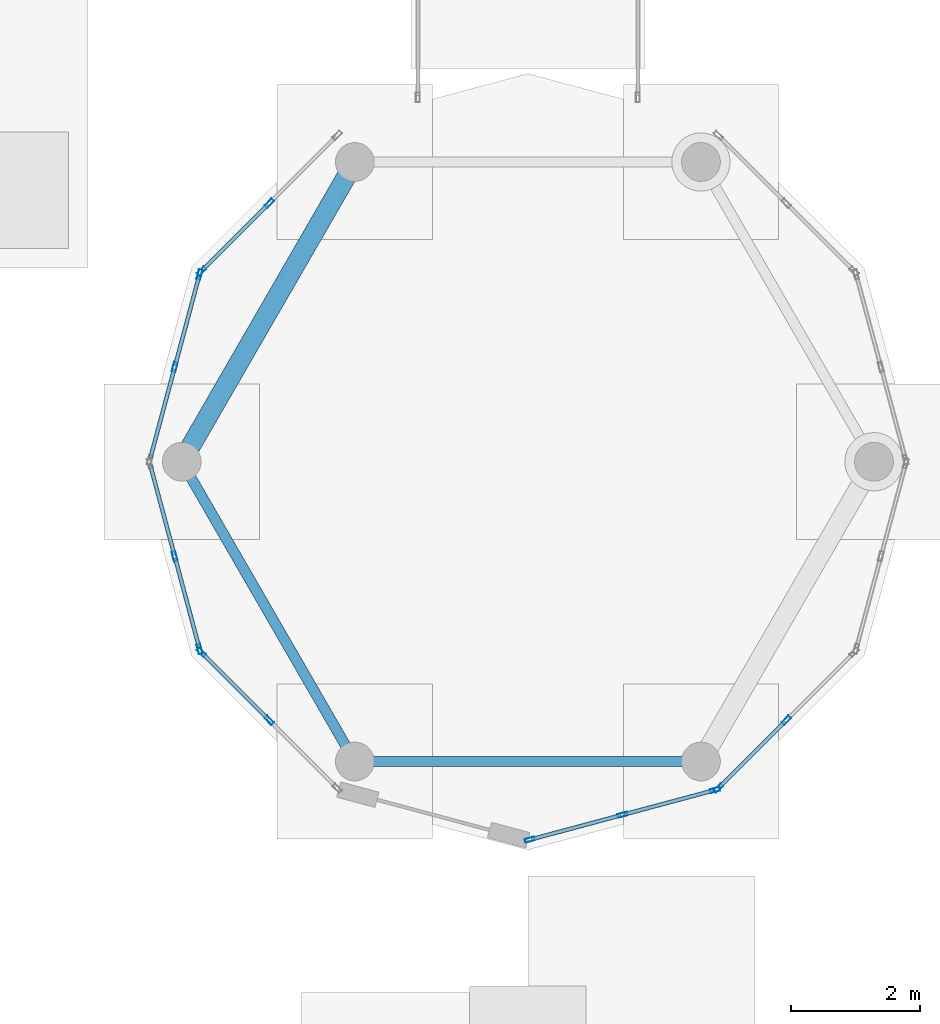
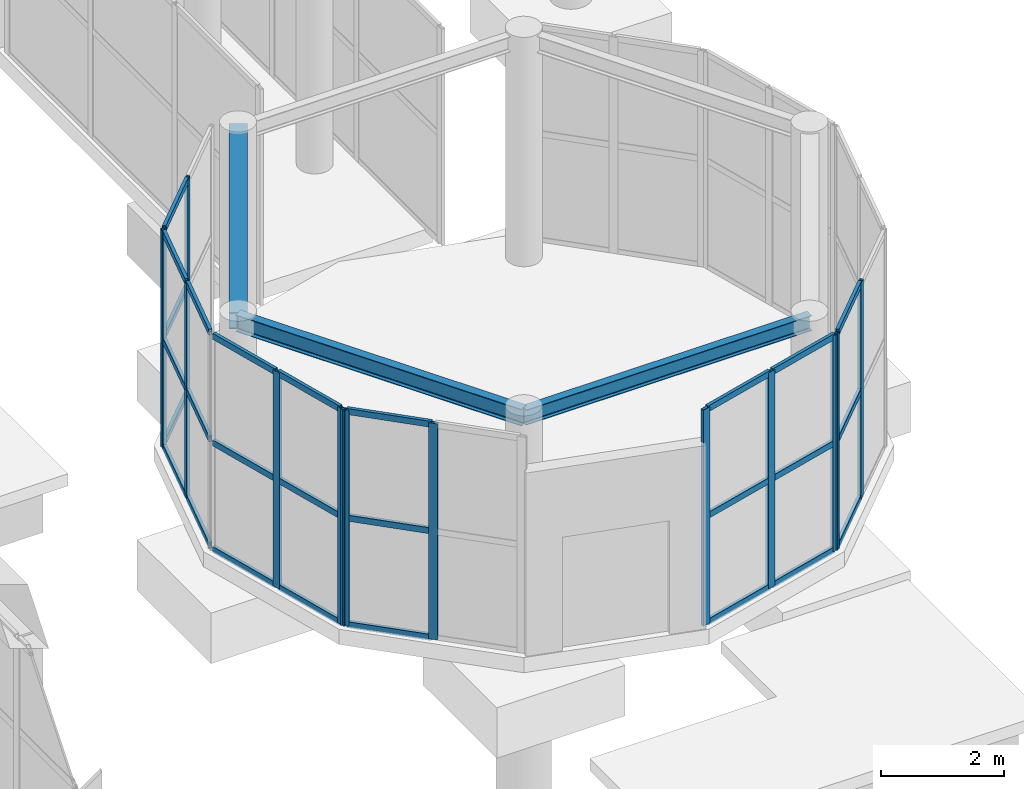
# One storey, part 48 of 139: 40 members, 3 beams, 6 elements without a shape of their own.
"""IFC4 building model written with IfcOpenShell, lengths in metres."""

from ifc_helpers import new_model, si_unit, direction, frame, origin, origin_2d, place, context, subcontext, project, spatial, hollow_rectangle, i_section, extrude, material, layer, layer_set, material_profile, profile_set, type_object, element, aggregate, save


model = new_model("IFC4")

# Units and contexts
model_context = context("Model", 3, precision=1e-05, world=origin(), true_north=direction((0.0, 1.0)))
body_context = subcontext(model_context, "Body", "Model", "MODEL_VIEW")
ifc_project = project(units=[si_unit("LENGTHUNIT", "METRE"), si_unit("AREAUNIT", "SQUARE_METRE"), si_unit("VOLUMEUNIT", "CUBIC_METRE"), si_unit("PLANEANGLEUNIT", "RADIAN"), si_unit("MASSUNIT", "GRAM", prefix="KILO")], contexts=[model_context])

# Site, building, storey
site_placement = place(None, origin())
site = spatial("IfcSite", under=ifc_project, at=site_placement, CompositionType="ELEMENT")
building_placement = place(site_placement, origin())
building = spatial("IfcBuilding", under=site, at=building_placement, Name="Zizhar Promenade General Hospital", CompositionType="ELEMENT")
storey_placement = place(building_placement, origin())
storey = spatial("IfcBuildingStorey", under=building, at=storey_placement, Name="L00", CompositionType="ELEMENT", Elevation=0.0)

# Beams
ifc_material_1 = material(Name="Steel S355", Category="steel")
ifc_material_profile_1 = material_profile(ifc_material_1, i_section(OverallWidth=0.300048828125, OverallDepth=0.320068359375, WebThickness=0.011474609375, FlangeThickness=0.0205078125, FilletRadius=0.027099609375, at=origin_2d()))
ifc_profile_set_1 = profile_set([ifc_material_profile_1], Name="Steel S355")
beam_type_1 = type_object("IfcBeamType", Name="BM-STL-HEB320", PredefinedType="BEAM", material=ifc_profile_set_1)
beam_1_placement = place(storey_placement, frame((142.324951171875, 32.63330078125, 4.340087890625), z_axis=(-0.500001594578, -0.866024483152, 0.0), x_axis=(0.866024483152, -0.500001594578, 0.0)))
element("IfcBeam", 1, at=beam_1_placement, inside=storey, type_object=beam_type_1, Name="PAV-1 Roof Ring Beam 3", PredefinedType="BEAM", context=body_context, shape_type="SweptSolid", body=[
    extrude(i_section(OverallWidth=0.300048828125, OverallDepth=0.320068359375, WebThickness=0.011474609375, FlangeThickness=0.0205078125, FilletRadius=0.027099609375, at=origin_2d()), origin(), (0.0, 0.0, 1.0), 5.35009765625),
])
ifc_material_2 = material(Name="Steel S355", Category="steel")
ifc_material_profile_2 = material_profile(ifc_material_2, i_section(OverallWidth=0.14990234375, OverallDepth=0.300048828125, WebThickness=0.007080078125, FlangeThickness=0.0107421875, FilletRadius=0.014892578125, at=origin_2d()))
ifc_profile_set_2 = profile_set([ifc_material_profile_2], Name="Steel S355")
beam_type_2 = type_object("IfcBeamType", Name="BM-STL-IPE300", PredefinedType="JOIST", material=ifc_profile_set_2)
beam_2_placement = place(storey_placement, frame((142.324951171875, 23.36669921875, 4.340087890625), z_axis=(1.0, 0.0, 0.0), x_axis=(0.0, 1.0, 0.0)))
element("IfcBeam", 2, at=beam_2_placement, inside=storey, type_object=beam_type_2, Name="PAV-1 Roof Ring Beam 5", PredefinedType="JOIST", context=body_context, shape_type="SweptSolid", body=[
    extrude(i_section(OverallWidth=0.14990234375, OverallDepth=0.300048828125, WebThickness=0.007080078125, FlangeThickness=0.0107421875, FilletRadius=0.014892578125, at=origin_2d()), origin(), (0.0, 0.0, 1.0), 5.35009765625),
])
ifc_material_3 = material(Name="Steel S355", Category="steel")
ifc_material_profile_3 = material_profile(ifc_material_3, i_section(OverallWidth=0.159912109375, OverallDepth=0.330078125, WebThickness=0.007568359375, FlangeThickness=0.011474609375, FilletRadius=0.01806640625, at=origin_2d()))
ifc_profile_set_3 = profile_set([ifc_material_profile_3], Name="Steel S355")
beam_type_3 = type_object("IfcBeamType", Name="BM-STL-IPE330", PredefinedType="JOIST", material=ifc_profile_set_3)
beam_3_placement = place(storey_placement, frame((139.64990234375, 28.0, 4.340087890625), z_axis=(0.500001594578, -0.866024483152, 0.0), x_axis=(0.866024483152, 0.500001594578, 0.0)))
element("IfcBeam", 3, at=beam_3_placement, inside=storey, type_object=beam_type_3, Name="PAV-1 Roof Ring Beam 4", PredefinedType="JOIST", context=body_context, shape_type="SweptSolid", body=[
    extrude(i_section(OverallWidth=0.159912109375, OverallDepth=0.330078125, WebThickness=0.007568359375, FlangeThickness=0.011474609375, FilletRadius=0.01806640625, at=origin_2d()), origin(), (0.0, 0.0, 1.0), 5.35009765625),
])

# Curtain wall, members
ifc_material_4 = material(Name="Anodised aluminium 6063-T6 and low-E glass", Category="aluminium")
ifc_layer = layer(ifc_material_4, 0.159912109375)
ifc_layer_set = layer_set([ifc_layer], Name="Anodised aluminium 6063-T6 and low-E glass")
curtain_wall_type = type_object("IfcCurtainWallType", Name="CW-PAV-GLZ", PredefinedType="NOTDEFINED", material=ifc_layer_set)
curtain_wall_1_placement = place(storey_placement, origin())
curtain_wall_1 = element("IfcCurtainWall", 4, at=curtain_wall_1_placement, inside=storey, type_object=curtain_wall_type, Name="Outpatient Welcome Pavilion Curved Glazing 5", PredefinedType="NOTDEFINED")
ifc_material_5 = material(Name="Anodised aluminium 6063-T6", Category="aluminium")
ifc_material_profile_4 = material_profile(ifc_material_5, hollow_rectangle(XDim=0.06005859375, YDim=0.14990234375, WallThickness=0.00390625, at=origin_2d()))
ifc_profile_set_4 = profile_set([ifc_material_profile_4], Name="Anodised aluminium 6063-T6")
member_type_1 = type_object("IfcMemberType", Name="CWM-ALU-150x60", PredefinedType="MULLION", material=ifc_profile_set_4)
member_1_placement = place(storey_placement, frame((139.955078125, 30.9462890625, 0.0), z_axis=(0.0, 0.0, 1.0), x_axis=(-0.707106781187, 0.707106781187, 0.0)))
member_1 = element("IfcMember", 5, at=member_1_placement, type_object=member_type_1, Name="CW-14 mullion 1", PredefinedType="MULLION", context=body_context, shape_type="SweptSolid", body=[
    extrude(hollow_rectangle(XDim=0.06005859375, YDim=0.14990234375, WallThickness=0.00390625, at=origin_2d()), origin(), (0.0, 0.0, 1.0), 4.280029296875),
])
member_2_placement = place(storey_placement, frame((141.00439453125, 31.99560546875, 0.0), z_axis=(0.0, 0.0, 1.0), x_axis=(-0.707106781187, 0.707106781187, 0.0)))
member_2 = element("IfcMember", 6, at=member_2_placement, type_object=member_type_1, Name="CW-14 mullion 2", PredefinedType="MULLION", context=body_context, shape_type="SweptSolid", body=[
    extrude(hollow_rectangle(XDim=0.06005859375, YDim=0.14990234375, WallThickness=0.00390625, at=origin_2d()), origin(), (0.0, 0.0, 1.0), 4.280029296875),
])

curtain_wall_2_placement = place(storey_placement, origin())
curtain_wall_2 = element("IfcCurtainWall", 7, at=curtain_wall_2_placement, inside=storey, type_object=curtain_wall_type, Name="Outpatient Welcome Pavilion Curved Glazing 6", PredefinedType="NOTDEFINED")
member_3_placement = place(storey_placement, frame((139.5419921875, 29.46240234375, 0.0), z_axis=(0.0, 0.0, 1.0), x_axis=(-0.965921812881, 0.25883402288, 0.0)))
member_3 = element("IfcMember", 8, at=member_3_placement, type_object=member_type_1, Name="CW-14 mullion 2", PredefinedType="MULLION", context=body_context, shape_type="SweptSolid", body=[
    extrude(hollow_rectangle(XDim=0.06005859375, YDim=0.14990234375, WallThickness=0.00390625, at=origin_2d()), origin(), (0.0, 0.0, 1.0), 4.280029296875),
])
member_4_placement = place(storey_placement, frame((139.926025390625, 30.89599609375, 0.0), z_axis=(0.0, 0.0, 1.0), x_axis=(-0.965921812881, 0.25883402288, 0.0)))
member_4 = element("IfcMember", 9, at=member_4_placement, type_object=member_type_1, Name="CW-14 mullion 3", PredefinedType="MULLION", context=body_context, shape_type="SweptSolid", body=[
    extrude(hollow_rectangle(XDim=0.06005859375, YDim=0.14990234375, WallThickness=0.00390625, at=origin_2d()), origin(), (0.0, 0.0, 1.0), 4.280029296875),
])

curtain_wall_3_placement = place(storey_placement, origin())
curtain_wall_3 = element("IfcCurtainWall", 10, at=curtain_wall_3_placement, inside=storey, type_object=curtain_wall_type, Name="Outpatient Welcome Pavilion Curved Glazing 7", PredefinedType="NOTDEFINED")
member_5_placement = place(storey_placement, frame((139.926025390625, 25.10400390625, 0.0), z_axis=(0.0, 0.0, 1.0), x_axis=(-0.965921812881, -0.25883402288, 0.0)))
member_5 = element("IfcMember", 11, at=member_5_placement, type_object=member_type_1, Name="CW-14 mullion 1", PredefinedType="MULLION", context=body_context, shape_type="SweptSolid", body=[
    extrude(hollow_rectangle(XDim=0.06005859375, YDim=0.14990234375, WallThickness=0.00390625, at=origin_2d()), origin(), (0.0, 0.0, 1.0), 4.280029296875),
])
member_6_placement = place(storey_placement, frame((139.5419921875, 26.53759765625, 0.0), z_axis=(0.0, 0.0, 1.0), x_axis=(-0.965921812881, -0.25883402288, 0.0)))
member_6 = element("IfcMember", 12, at=member_6_placement, type_object=member_type_1, Name="CW-14 mullion 2", PredefinedType="MULLION", context=body_context, shape_type="SweptSolid", body=[
    extrude(hollow_rectangle(XDim=0.06005859375, YDim=0.14990234375, WallThickness=0.00390625, at=origin_2d()), origin(), (0.0, 0.0, 1.0), 4.280029296875),
])

curtain_wall_4_placement = place(storey_placement, origin())
curtain_wall_4 = element("IfcCurtainWall", 13, at=curtain_wall_4_placement, inside=storey, type_object=curtain_wall_type, Name="Outpatient Welcome Pavilion Curved Glazing 8", PredefinedType="NOTDEFINED")
member_7_placement = place(storey_placement, frame((141.00439453125, 24.00439453125, 0.0), z_axis=(0.0, 0.0, 1.0), x_axis=(-0.707106781187, -0.707106781187, 0.0)))
member_7 = element("IfcMember", 14, at=member_7_placement, type_object=member_type_1, Name="CW-14 mullion 2", PredefinedType="MULLION", context=body_context, shape_type="SweptSolid", body=[
    extrude(hollow_rectangle(XDim=0.06005859375, YDim=0.14990234375, WallThickness=0.00390625, at=origin_2d()), origin(), (0.0, 0.0, 1.0), 4.280029296875),
])
member_8_placement = place(storey_placement, frame((139.955078125, 25.0537109375, 0.0), z_axis=(0.0, 0.0, 1.0), x_axis=(-0.707106781187, -0.707106781187, 0.0)))
member_8 = element("IfcMember", 15, at=member_8_placement, type_object=member_type_1, Name="CW-14 mullion 3", PredefinedType="MULLION", context=body_context, shape_type="SweptSolid", body=[
    extrude(hollow_rectangle(XDim=0.06005859375, YDim=0.14990234375, WallThickness=0.00390625, at=origin_2d()), origin(), (0.0, 0.0, 1.0), 4.280029296875),
])

curtain_wall_5_placement = place(storey_placement, origin())
curtain_wall_5 = element("IfcCurtainWall", 16, at=curtain_wall_5_placement, inside=storey, type_object=curtain_wall_type, Name="Outpatient Welcome Pavilion Curved Glazing 10", PredefinedType="NOTDEFINED")
member_9_placement = place(storey_placement, frame((147.89599609375, 22.926025390625, 0.0), z_axis=(0.0, 0.0, 1.0), x_axis=(0.25883402288, -0.965921812881, 0.0)))
member_9 = element("IfcMember", 17, at=member_9_placement, type_object=member_type_1, Name="CW-14 mullion 1", PredefinedType="MULLION", context=body_context, shape_type="SweptSolid", body=[
    extrude(hollow_rectangle(XDim=0.06005859375, YDim=0.14990234375, WallThickness=0.00390625, at=origin_2d()), origin(), (0.0, 0.0, 1.0), 4.280029296875),
])
member_10_placement = place(storey_placement, frame((146.46240234375, 22.5419921875, 0.0), z_axis=(0.0, 0.0, 1.0), x_axis=(0.25883402288, -0.965921812881, 0.0)))
member_10 = element("IfcMember", 18, at=member_10_placement, type_object=member_type_1, Name="CW-14 mullion 2", PredefinedType="MULLION", context=body_context, shape_type="SweptSolid", body=[
    extrude(hollow_rectangle(XDim=0.06005859375, YDim=0.14990234375, WallThickness=0.00390625, at=origin_2d()), origin(), (0.0, 0.0, 1.0), 4.280029296875),
])
member_11_placement = place(storey_placement, frame((145.029052734375, 22.15771484375, 0.0), z_axis=(0.0, 0.0, 1.0), x_axis=(0.25883402288, -0.965921812881, 0.0)))
member_11 = element("IfcMember", 19, at=member_11_placement, type_object=member_type_1, Name="CW-14 mullion 3", PredefinedType="MULLION", context=body_context, shape_type="SweptSolid", body=[
    extrude(hollow_rectangle(XDim=0.06005859375, YDim=0.14990234375, WallThickness=0.00390625, at=origin_2d()), origin(), (0.0, 0.0, 1.0), 4.280029296875),
])

curtain_wall_6_placement = place(storey_placement, origin())
curtain_wall_6 = element("IfcCurtainWall", 20, at=curtain_wall_6_placement, inside=storey, type_object=curtain_wall_type, Name="Outpatient Welcome Pavilion Curved Glazing 11", PredefinedType="NOTDEFINED")
member_12_placement = place(storey_placement, frame((148.99560546875, 24.00439453125, 0.0), z_axis=(0.0, 0.0, 1.0), x_axis=(0.707106781187, -0.707106781187, 0.0)))
member_12 = element("IfcMember", 21, at=member_12_placement, type_object=member_type_1, Name="CW-14 mullion 2", PredefinedType="MULLION", context=body_context, shape_type="SweptSolid", body=[
    extrude(hollow_rectangle(XDim=0.06005859375, YDim=0.14990234375, WallThickness=0.00390625, at=origin_2d()), origin(), (0.0, 0.0, 1.0), 4.280029296875),
])
member_13_placement = place(storey_placement, frame((147.9462890625, 22.955078125, 0.0), z_axis=(0.0, 0.0, 1.0), x_axis=(0.707106781187, -0.707106781187, 0.0)))
member_13 = element("IfcMember", 22, at=member_13_placement, type_object=member_type_1, Name="CW-14 mullion 3", PredefinedType="MULLION", context=body_context, shape_type="SweptSolid", body=[
    extrude(hollow_rectangle(XDim=0.06005859375, YDim=0.14990234375, WallThickness=0.00390625, at=origin_2d()), origin(), (0.0, 0.0, 1.0), 4.280029296875),
])

# Member
ifc_material_6 = material(Name="Anodised aluminium 6063-T6", Category="aluminium")
ifc_material_profile_5 = material_profile(ifc_material_6, hollow_rectangle(XDim=0.06005859375, YDim=0.1201171875, WallThickness=0.00390625, at=origin_2d()))
ifc_profile_set_5 = profile_set([ifc_material_profile_5], Name="Anodised aluminium 6063-T6")
member_type_2 = type_object("IfcMemberType", Name="CWT-ALU-120x60", PredefinedType="USERDEFINED", material=ifc_profile_set_5)
member_14_placement = place(storey_placement, frame((139.976318359375, 30.967529296875, 0.030029296875), z_axis=(0.707106781187, 0.707106781187, 0.0), x_axis=(-0.707106781187, 0.707106781187, 0.0)))
member_14 = element("IfcMember", 23, at=member_14_placement, type_object=member_type_2, Name="CW-14 transom 1.1", ObjectType="TRANSOM", PredefinedType="USERDEFINED", context=body_context, shape_type="SweptSolid", body=[
    extrude(hollow_rectangle(XDim=0.06005859375, YDim=0.1201171875, WallThickness=0.00390625, at=origin_2d()), origin(), (0.0, 0.0, 1.0), 1.423828125),
])

member_15_placement = place(storey_placement, frame((139.976318359375, 30.967529296875, 2.139892578125), z_axis=(0.707106781187, 0.707106781187, 0.0), x_axis=(-0.707106781187, 0.707106781187, 0.0)))
member_15 = element("IfcMember", 24, at=member_15_placement, type_object=member_type_2, Name="CW-14 transom 1.2", ObjectType="TRANSOM", PredefinedType="USERDEFINED", context=body_context, shape_type="SweptSolid", body=[
    extrude(hollow_rectangle(XDim=0.06005859375, YDim=0.1201171875, WallThickness=0.00390625, at=origin_2d()), origin(), (0.0, 0.0, 1.0), 1.423828125),
])

member_16_placement = place(storey_placement, frame((139.976318359375, 30.967529296875, 4.25), z_axis=(0.707106781187, 0.707106781187, 0.0), x_axis=(-0.707106781187, 0.707106781187, 0.0)))
member_16 = element("IfcMember", 25, at=member_16_placement, type_object=member_type_2, Name="CW-14 transom 1.3", ObjectType="TRANSOM", PredefinedType="USERDEFINED", context=body_context, shape_type="SweptSolid", body=[
    extrude(hollow_rectangle(XDim=0.06005859375, YDim=0.1201171875, WallThickness=0.00390625, at=origin_2d()), origin(), (0.0, 0.0, 1.0), 1.423828125),
])

aggregate(curtain_wall_1, [member_1, member_2, member_14, member_15, member_16])

member_17_placement = place(storey_placement, frame((139.16552734375, 28.057861328125, 0.030029296875), z_axis=(0.258836045938, 0.965921270769, 0.0), x_axis=(-0.965921270769, 0.258836045938, 0.0)))
member_17 = element("IfcMember", 26, at=member_17_placement, type_object=member_type_2, Name="CW-14 transom 1.1", ObjectType="TRANSOM", PredefinedType="USERDEFINED", context=body_context, shape_type="SweptSolid", body=[
    extrude(hollow_rectangle(XDim=0.06005859375, YDim=0.1201171875, WallThickness=0.00390625, at=origin_2d()), origin(), (0.0, 0.0, 1.0), 1.42431640625),
])

member_18_placement = place(storey_placement, frame((139.16552734375, 28.057861328125, 2.139892578125), z_axis=(0.258836045938, 0.965921270769, 0.0), x_axis=(-0.965921270769, 0.258836045938, 0.0)))
member_18 = element("IfcMember", 27, at=member_18_placement, type_object=member_type_2, Name="CW-14 transom 1.2", ObjectType="TRANSOM", PredefinedType="USERDEFINED", context=body_context, shape_type="SweptSolid", body=[
    extrude(hollow_rectangle(XDim=0.06005859375, YDim=0.1201171875, WallThickness=0.00390625, at=origin_2d()), origin(), (0.0, 0.0, 1.0), 1.42431640625),
])

member_19_placement = place(storey_placement, frame((139.16552734375, 28.057861328125, 4.25), z_axis=(0.258836045938, 0.965921270769, 0.0), x_axis=(-0.965921270769, 0.258836045938, 0.0)))
member_19 = element("IfcMember", 28, at=member_19_placement, type_object=member_type_2, Name="CW-14 transom 1.3", ObjectType="TRANSOM", PredefinedType="USERDEFINED", context=body_context, shape_type="SweptSolid", body=[
    extrude(hollow_rectangle(XDim=0.06005859375, YDim=0.1201171875, WallThickness=0.00390625, at=origin_2d()), origin(), (0.0, 0.0, 1.0), 1.42431640625),
])

member_20_placement = place(storey_placement, frame((139.549560546875, 29.491455078125, 0.030029296875), z_axis=(0.258878909043, 0.965909783806, 0.0), x_axis=(-0.965909783806, 0.258878909043, 0.0)))
member_20 = element("IfcMember", 29, at=member_20_placement, type_object=member_type_2, Name="CW-14 transom 2.1", ObjectType="TRANSOM", PredefinedType="USERDEFINED", context=body_context, shape_type="SweptSolid", body=[
    extrude(hollow_rectangle(XDim=0.06005859375, YDim=0.1201171875, WallThickness=0.00390625, at=origin_2d()), origin(), (0.0, 0.0, 1.0), 1.424072265625),
])

member_21_placement = place(storey_placement, frame((139.549560546875, 29.491455078125, 2.139892578125), z_axis=(0.258878909043, 0.965909783806, 0.0), x_axis=(-0.965909783806, 0.258878909043, 0.0)))
member_21 = element("IfcMember", 30, at=member_21_placement, type_object=member_type_2, Name="CW-14 transom 2.2", ObjectType="TRANSOM", PredefinedType="USERDEFINED", context=body_context, shape_type="SweptSolid", body=[
    extrude(hollow_rectangle(XDim=0.06005859375, YDim=0.1201171875, WallThickness=0.00390625, at=origin_2d()), origin(), (0.0, 0.0, 1.0), 1.424072265625),
])

member_22_placement = place(storey_placement, frame((139.549560546875, 29.491455078125, 4.25), z_axis=(0.258878909043, 0.965909783806, 0.0), x_axis=(-0.965909783806, 0.258878909043, 0.0)))
member_22 = element("IfcMember", 31, at=member_22_placement, type_object=member_type_2, Name="CW-14 transom 2.3", ObjectType="TRANSOM", PredefinedType="USERDEFINED", context=body_context, shape_type="SweptSolid", body=[
    extrude(hollow_rectangle(XDim=0.06005859375, YDim=0.1201171875, WallThickness=0.00390625, at=origin_2d()), origin(), (0.0, 0.0, 1.0), 1.424072265625),
])

aggregate(curtain_wall_2, [member_3, member_4, member_17, member_18, member_19, member_20, member_21, member_22])

member_23_placement = place(storey_placement, frame((139.918212890625, 25.133056640625, 0.030029296875), z_axis=(-0.258878909043, 0.965909783806, 0.0), x_axis=(-0.965909783806, -0.258878909043, 0.0)))
member_23 = element("IfcMember", 32, at=member_23_placement, type_object=member_type_2, Name="CW-14 transom 1.1", ObjectType="TRANSOM", PredefinedType="USERDEFINED", context=body_context, shape_type="SweptSolid", body=[
    extrude(hollow_rectangle(XDim=0.06005859375, YDim=0.1201171875, WallThickness=0.00390625, at=origin_2d()), origin(), (0.0, 0.0, 1.0), 1.424072265625),
])

member_24_placement = place(storey_placement, frame((139.918212890625, 25.133056640625, 2.139892578125), z_axis=(-0.258878909043, 0.965909783806, 0.0), x_axis=(-0.965909783806, -0.258878909043, 0.0)))
member_24 = element("IfcMember", 33, at=member_24_placement, type_object=member_type_2, Name="CW-14 transom 1.2", ObjectType="TRANSOM", PredefinedType="USERDEFINED", context=body_context, shape_type="SweptSolid", body=[
    extrude(hollow_rectangle(XDim=0.06005859375, YDim=0.1201171875, WallThickness=0.00390625, at=origin_2d()), origin(), (0.0, 0.0, 1.0), 1.424072265625),
])

member_25_placement = place(storey_placement, frame((139.918212890625, 25.133056640625, 4.25), z_axis=(-0.258878909043, 0.965909783806, 0.0), x_axis=(-0.965909783806, -0.258878909043, 0.0)))
member_25 = element("IfcMember", 34, at=member_25_placement, type_object=member_type_2, Name="CW-14 transom 1.3", ObjectType="TRANSOM", PredefinedType="USERDEFINED", context=body_context, shape_type="SweptSolid", body=[
    extrude(hollow_rectangle(XDim=0.06005859375, YDim=0.1201171875, WallThickness=0.00390625, at=origin_2d()), origin(), (0.0, 0.0, 1.0), 1.424072265625),
])

member_26_placement = place(storey_placement, frame((139.5341796875, 26.56640625, 0.030029296875), z_axis=(-0.258836045938, 0.965921270769, 0.0), x_axis=(-0.965921270769, -0.258836045938, 0.0)))
member_26 = element("IfcMember", 35, at=member_26_placement, type_object=member_type_2, Name="CW-14 transom 2.1", ObjectType="TRANSOM", PredefinedType="USERDEFINED", context=body_context, shape_type="SweptSolid", body=[
    extrude(hollow_rectangle(XDim=0.06005859375, YDim=0.1201171875, WallThickness=0.00390625, at=origin_2d()), origin(), (0.0, 0.0, 1.0), 1.42431640625),
])

member_27_placement = place(storey_placement, frame((139.5341796875, 26.56640625, 2.139892578125), z_axis=(-0.258836045938, 0.965921270769, 0.0), x_axis=(-0.965921270769, -0.258836045938, 0.0)))
member_27 = element("IfcMember", 36, at=member_27_placement, type_object=member_type_2, Name="CW-14 transom 2.2", ObjectType="TRANSOM", PredefinedType="USERDEFINED", context=body_context, shape_type="SweptSolid", body=[
    extrude(hollow_rectangle(XDim=0.06005859375, YDim=0.1201171875, WallThickness=0.00390625, at=origin_2d()), origin(), (0.0, 0.0, 1.0), 1.42431640625),
])

member_28_placement = place(storey_placement, frame((139.5341796875, 26.56640625, 4.25), z_axis=(-0.258836045938, 0.965921270769, 0.0), x_axis=(-0.965921270769, -0.258836045938, 0.0)))
member_28 = element("IfcMember", 37, at=member_28_placement, type_object=member_type_2, Name="CW-14 transom 2.3", ObjectType="TRANSOM", PredefinedType="USERDEFINED", context=body_context, shape_type="SweptSolid", body=[
    extrude(hollow_rectangle(XDim=0.06005859375, YDim=0.1201171875, WallThickness=0.00390625, at=origin_2d()), origin(), (0.0, 0.0, 1.0), 1.42431640625),
])

aggregate(curtain_wall_3, [member_5, member_6, member_23, member_24, member_25, member_26, member_27, member_28])

member_29_placement = place(storey_placement, frame((140.983154296875, 24.025634765625, 0.030029296875), z_axis=(-0.707106781187, 0.707106781187, 0.0), x_axis=(-0.707106781187, -0.707106781187, 0.0)))
member_29 = element("IfcMember", 38, at=member_29_placement, type_object=member_type_2, Name="CW-14 transom 2.1", ObjectType="TRANSOM", PredefinedType="USERDEFINED", context=body_context, shape_type="SweptSolid", body=[
    extrude(hollow_rectangle(XDim=0.06005859375, YDim=0.1201171875, WallThickness=0.00390625, at=origin_2d()), origin(), (0.0, 0.0, 1.0), 1.423828125),
])

member_30_placement = place(storey_placement, frame((140.983154296875, 24.025634765625, 2.139892578125), z_axis=(-0.707106781187, 0.707106781187, 0.0), x_axis=(-0.707106781187, -0.707106781187, 0.0)))
member_30 = element("IfcMember", 39, at=member_30_placement, type_object=member_type_2, Name="CW-14 transom 2.2", ObjectType="TRANSOM", PredefinedType="USERDEFINED", context=body_context, shape_type="SweptSolid", body=[
    extrude(hollow_rectangle(XDim=0.06005859375, YDim=0.1201171875, WallThickness=0.00390625, at=origin_2d()), origin(), (0.0, 0.0, 1.0), 1.423828125),
])

member_31_placement = place(storey_placement, frame((140.983154296875, 24.025634765625, 4.25), z_axis=(-0.707106781187, 0.707106781187, 0.0), x_axis=(-0.707106781187, -0.707106781187, 0.0)))
member_31 = element("IfcMember", 40, at=member_31_placement, type_object=member_type_2, Name="CW-14 transom 2.3", ObjectType="TRANSOM", PredefinedType="USERDEFINED", context=body_context, shape_type="SweptSolid", body=[
    extrude(hollow_rectangle(XDim=0.06005859375, YDim=0.1201171875, WallThickness=0.00390625, at=origin_2d()), origin(), (0.0, 0.0, 1.0), 1.423828125),
])

aggregate(curtain_wall_4, [member_7, member_8, member_29, member_30, member_31])

member_32_placement = place(storey_placement, frame((147.866943359375, 22.918212890625, 0.030029296875), z_axis=(-0.965909783806, -0.258878909043, 0.0), x_axis=(0.258878909043, -0.965909783806, 0.0)))
member_32 = element("IfcMember", 41, at=member_32_placement, type_object=member_type_2, Name="CW-14 transom 1.1", ObjectType="TRANSOM", PredefinedType="USERDEFINED", context=body_context, shape_type="SweptSolid", body=[
    extrude(hollow_rectangle(XDim=0.06005859375, YDim=0.1201171875, WallThickness=0.00390625, at=origin_2d()), origin(), (0.0, 0.0, 1.0), 1.424072265625),
])

member_33_placement = place(storey_placement, frame((147.866943359375, 22.918212890625, 2.139892578125), z_axis=(-0.965909783806, -0.258878909043, 0.0), x_axis=(0.258878909043, -0.965909783806, 0.0)))
member_33 = element("IfcMember", 42, at=member_33_placement, type_object=member_type_2, Name="CW-14 transom 1.2", ObjectType="TRANSOM", PredefinedType="USERDEFINED", context=body_context, shape_type="SweptSolid", body=[
    extrude(hollow_rectangle(XDim=0.06005859375, YDim=0.1201171875, WallThickness=0.00390625, at=origin_2d()), origin(), (0.0, 0.0, 1.0), 1.424072265625),
])

member_34_placement = place(storey_placement, frame((147.866943359375, 22.918212890625, 4.25), z_axis=(-0.965909783806, -0.258878909043, 0.0), x_axis=(0.258878909043, -0.965909783806, 0.0)))
member_34 = element("IfcMember", 43, at=member_34_placement, type_object=member_type_2, Name="CW-14 transom 1.3", ObjectType="TRANSOM", PredefinedType="USERDEFINED", context=body_context, shape_type="SweptSolid", body=[
    extrude(hollow_rectangle(XDim=0.06005859375, YDim=0.1201171875, WallThickness=0.00390625, at=origin_2d()), origin(), (0.0, 0.0, 1.0), 1.424072265625),
])

member_35_placement = place(storey_placement, frame((146.43359375, 22.5341796875, 0.030029296875), z_axis=(-0.965921270769, -0.258836045938, 0.0), x_axis=(0.258836045938, -0.965921270769, 0.0)))
member_35 = element("IfcMember", 44, at=member_35_placement, type_object=member_type_2, Name="CW-14 transom 2.1", ObjectType="TRANSOM", PredefinedType="USERDEFINED", context=body_context, shape_type="SweptSolid", body=[
    extrude(hollow_rectangle(XDim=0.06005859375, YDim=0.1201171875, WallThickness=0.00390625, at=origin_2d()), origin(), (0.0, 0.0, 1.0), 1.42431640625),
])

member_36_placement = place(storey_placement, frame((146.43359375, 22.5341796875, 2.139892578125), z_axis=(-0.965921270769, -0.258836045938, 0.0), x_axis=(0.258836045938, -0.965921270769, 0.0)))
member_36 = element("IfcMember", 45, at=member_36_placement, type_object=member_type_2, Name="CW-14 transom 2.2", ObjectType="TRANSOM", PredefinedType="USERDEFINED", context=body_context, shape_type="SweptSolid", body=[
    extrude(hollow_rectangle(XDim=0.06005859375, YDim=0.1201171875, WallThickness=0.00390625, at=origin_2d()), origin(), (0.0, 0.0, 1.0), 1.42431640625),
])

member_37_placement = place(storey_placement, frame((146.43359375, 22.5341796875, 4.25), z_axis=(-0.965921270769, -0.258836045938, 0.0), x_axis=(0.258836045938, -0.965921270769, 0.0)))
member_37 = element("IfcMember", 46, at=member_37_placement, type_object=member_type_2, Name="CW-14 transom 2.3", ObjectType="TRANSOM", PredefinedType="USERDEFINED", context=body_context, shape_type="SweptSolid", body=[
    extrude(hollow_rectangle(XDim=0.06005859375, YDim=0.1201171875, WallThickness=0.00390625, at=origin_2d()), origin(), (0.0, 0.0, 1.0), 1.42431640625),
])

aggregate(curtain_wall_5, [member_9, member_10, member_11, member_32, member_33, member_34, member_35, member_36, member_37])

member_38_placement = place(storey_placement, frame((148.974365234375, 23.983154296875, 0.030029296875), z_axis=(-0.707106781187, -0.707106781187, 0.0), x_axis=(0.707106781187, -0.707106781187, 0.0)))
member_38 = element("IfcMember", 47, at=member_38_placement, type_object=member_type_2, Name="CW-14 transom 2.1", ObjectType="TRANSOM", PredefinedType="USERDEFINED", context=body_context, shape_type="SweptSolid", body=[
    extrude(hollow_rectangle(XDim=0.06005859375, YDim=0.1201171875, WallThickness=0.00390625, at=origin_2d()), origin(), (0.0, 0.0, 1.0), 1.423828125),
])

member_39_placement = place(storey_placement, frame((148.974365234375, 23.983154296875, 2.139892578125), z_axis=(-0.707106781187, -0.707106781187, 0.0), x_axis=(0.707106781187, -0.707106781187, 0.0)))
member_39 = element("IfcMember", 48, at=member_39_placement, type_object=member_type_2, Name="CW-14 transom 2.2", ObjectType="TRANSOM", PredefinedType="USERDEFINED", context=body_context, shape_type="SweptSolid", body=[
    extrude(hollow_rectangle(XDim=0.06005859375, YDim=0.1201171875, WallThickness=0.00390625, at=origin_2d()), origin(), (0.0, 0.0, 1.0), 1.423828125),
])

member_40_placement = place(storey_placement, frame((148.974365234375, 23.983154296875, 4.25), z_axis=(-0.707106781187, -0.707106781187, 0.0), x_axis=(0.707106781187, -0.707106781187, 0.0)))
member_40 = element("IfcMember", 49, at=member_40_placement, type_object=member_type_2, Name="CW-14 transom 2.3", ObjectType="TRANSOM", PredefinedType="USERDEFINED", context=body_context, shape_type="SweptSolid", body=[
    extrude(hollow_rectangle(XDim=0.06005859375, YDim=0.1201171875, WallThickness=0.00390625, at=origin_2d()), origin(), (0.0, 0.0, 1.0), 1.423828125),
])

aggregate(curtain_wall_6, [member_12, member_13, member_38, member_39, member_40])

save(model, "model.ifc")
